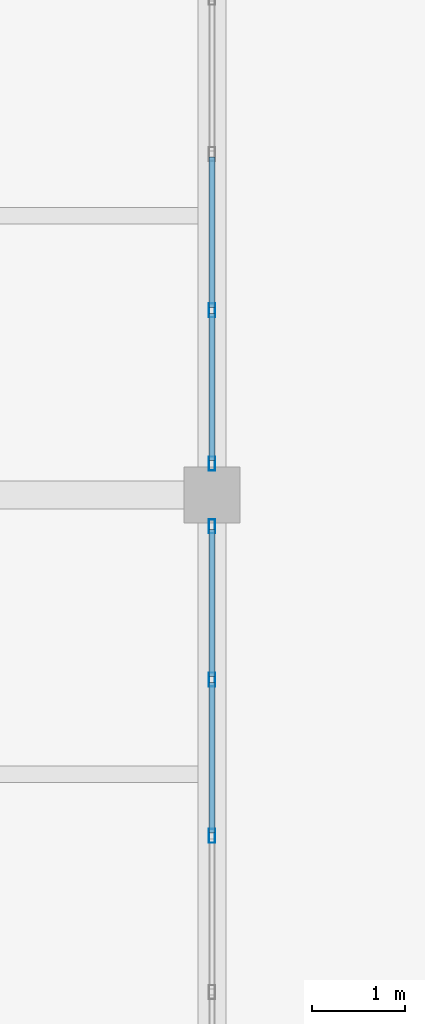
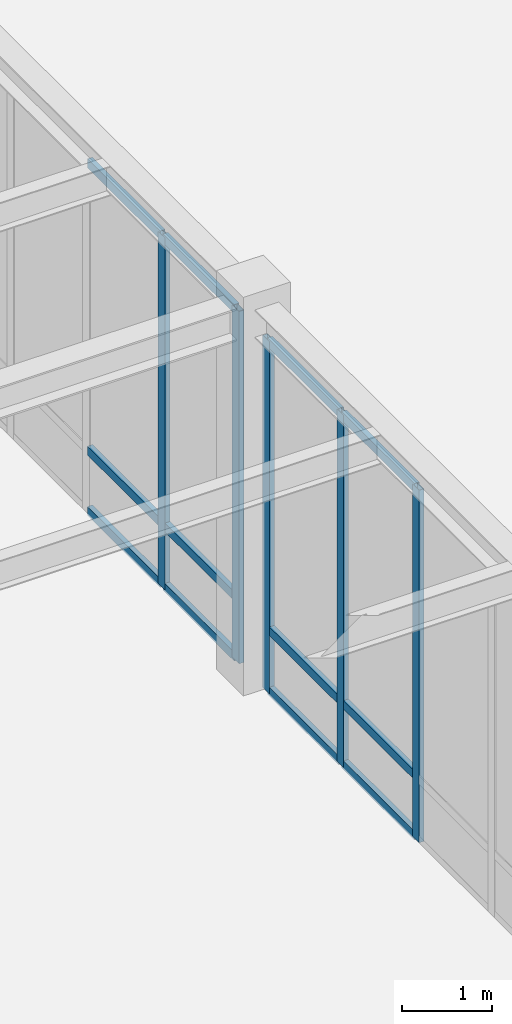
# One storey, part 41 of 77: 17 members, 2 elements without a shape of their own.
"""IFC4 building model written with IfcOpenShell, lengths in metres."""

from ifc_helpers import new_model, si_unit, direction, frame, origin, origin_2d, place, context, subcontext, project, spatial, hollow_rectangle, extrude, material, material_profile, profile_set, type_object, element, aggregate, save


model = new_model("IFC4")

# Units and contexts
model_context = context("Model", 3, precision=1e-05, world=origin(), true_north=direction((0.0, 1.0)))
body_context = subcontext(model_context, "Body", "Model", "MODEL_VIEW")
ifc_project = project(units=[si_unit("LENGTHUNIT", "METRE"), si_unit("AREAUNIT", "SQUARE_METRE"), si_unit("VOLUMEUNIT", "CUBIC_METRE"), si_unit("PLANEANGLEUNIT", "RADIAN"), si_unit("MASSUNIT", "GRAM", prefix="KILO")], contexts=[model_context])

# Site, building, storey
site_placement = place(None, origin())
site = spatial("IfcSite", under=ifc_project, at=site_placement, CompositionType="ELEMENT")
building_placement = place(site_placement, origin())
building = spatial("IfcBuilding", under=site, at=building_placement, Name="Lykobir Media Centre", CompositionType="ELEMENT")
storey_placement = place(building_placement, origin())
storey = spatial("IfcBuildingStorey", under=building, at=storey_placement, Name="L00", CompositionType="ELEMENT", Elevation=0.0)

# Curtain wall, members
ifc_material = material(Name="Anodized Aluminium AW-6060", Category="aluminium")
curtain_wall_type = type_object("IfcCurtainWallType", Name="CW-COURT-A", PredefinedType="NOTDEFINED", material=ifc_material)
curtain_wall_1_placement = place(storey_placement, origin())
curtain_wall_1 = element("IfcCurtainWall", 1, at=curtain_wall_1_placement, inside=storey, type_object=curtain_wall_type, Name="Curtain wall CW2-L00-0004", PredefinedType="NOTDEFINED")
ifc_material_profile_1 = material_profile(ifc_material, hollow_rectangle(XDim=0.06494140625, YDim=0.14990234375, WallThickness=0.00341796875, at=origin_2d()), Name="ALU MULLION 65x150")
ifc_profile_set_1 = profile_set([ifc_material_profile_1], Name="Anodized Aluminium AW-6060")
member_type_1 = type_object("IfcMemberType", Name="CWM-150", PredefinedType="MULLION", material=ifc_profile_set_1)
member_1_placement = place(storey_placement, frame((108.0, 35.66259765625, 0.0), z_axis=(0.0, 0.0, 1.0), x_axis=(1.0, 0.0, 0.0)))
member_1 = element("IfcMember", 2, at=member_1_placement, type_object=member_type_1, Name="CW2-L00-0004 mullion 1", PredefinedType="MULLION", context=body_context, shape_type="SweptSolid", body=[
    extrude(hollow_rectangle(XDim=0.06494140625, YDim=0.14990234375, WallThickness=0.00341796875, at=origin_2d()), origin(), (0.0, 0.0, 1.0), 4.77490234375),
])
member_2_placement = place(storey_placement, frame((108.0, 34.01708984375, 0.0), z_axis=(0.0, 0.0, 1.0), x_axis=(1.0, 0.0, 0.0)))
member_2 = element("IfcMember", 3, at=member_2_placement, type_object=member_type_1, Name="CW2-L00-0004 mullion 2", PredefinedType="MULLION", context=body_context, shape_type="SweptSolid", body=[
    extrude(hollow_rectangle(XDim=0.06494140625, YDim=0.14990234375, WallThickness=0.00341796875, at=origin_2d()), origin(), (0.0, 0.0, 1.0), 4.77490234375),
])
member_3_placement = place(storey_placement, frame((108.0, 32.339111328125, 0.0), z_axis=(0.0, 0.0, 1.0), x_axis=(1.0, 0.0, 0.0)))
member_3 = element("IfcMember", 4, at=member_3_placement, type_object=member_type_1, Name="CW2-L00-0004 mullion 3", PredefinedType="MULLION", context=body_context, shape_type="SweptSolid", body=[
    extrude(hollow_rectangle(XDim=0.06494140625, YDim=0.14990234375, WallThickness=0.00341796875, at=origin_2d()), origin(), (0.0, 0.0, 1.0), 4.77490234375),
])

curtain_wall_2_placement = place(storey_placement, origin())
curtain_wall_2 = element("IfcCurtainWall", 5, at=curtain_wall_2_placement, inside=storey, type_object=curtain_wall_type, Name="Curtain wall CW2-L00-0005", PredefinedType="NOTDEFINED")
member_4_placement = place(storey_placement, frame((108.0, 37.98291015625, 0.0), z_axis=(0.0, 0.0, 1.0), x_axis=(1.0, 0.0, 0.0)))
member_4 = element("IfcMember", 6, at=member_4_placement, type_object=member_type_1, Name="CW2-L00-0005 mullion 5", PredefinedType="MULLION", context=body_context, shape_type="SweptSolid", body=[
    extrude(hollow_rectangle(XDim=0.06494140625, YDim=0.14990234375, WallThickness=0.00341796875, at=origin_2d()), origin(), (0.0, 0.0, 1.0), 4.77490234375),
])
member_5_placement = place(storey_placement, frame((108.0, 36.33740234375, 0.0), z_axis=(0.0, 0.0, 1.0), x_axis=(1.0, 0.0, 0.0)))
member_5 = element("IfcMember", 7, at=member_5_placement, type_object=member_type_1, Name="CW2-L00-0005 mullion 6", PredefinedType="MULLION", context=body_context, shape_type="SweptSolid", body=[
    extrude(hollow_rectangle(XDim=0.06494140625, YDim=0.14990234375, WallThickness=0.00341796875, at=origin_2d()), origin(), (0.0, 0.0, 1.0), 4.77490234375),
])

# Member
ifc_material_profile_2 = material_profile(ifc_material, hollow_rectangle(XDim=0.06494140625, YDim=0.1201171875, WallThickness=0.0029296875, at=origin_2d()), Name="ALU TRANSOM 65x120")
ifc_profile_set_2 = profile_set([ifc_material_profile_2], Name="Anodized Aluminium AW-6060")
member_type_2 = type_object("IfcMemberType", Name="CWT-120", PredefinedType="USERDEFINED", material=ifc_profile_set_2)
member_6_placement = place(storey_placement, frame((108.0, 35.6298828125, 0.032470703125), z_axis=(0.0, -1.0, 0.0), x_axis=(1.0, 0.0, 0.0)))
member_6 = element("IfcMember", 8, at=member_6_placement, type_object=member_type_2, Name="CW2-L00-0004 transom 1.1", ObjectType="TRANSOM", PredefinedType="USERDEFINED", context=body_context, shape_type="SweptSolid", body=[
    extrude(hollow_rectangle(XDim=0.06494140625, YDim=0.1201171875, WallThickness=0.0029296875, at=origin_2d()), origin(), (0.0, 0.0, 1.0), 1.580322265625),
])

member_7_placement = place(storey_placement, frame((108.0, 35.6298828125, 0.85009765625), z_axis=(0.0, -1.0, 0.0), x_axis=(1.0, 0.0, 0.0)))
member_7 = element("IfcMember", 9, at=member_7_placement, type_object=member_type_2, Name="CW2-L00-0004 transom 1.2", ObjectType="TRANSOM", PredefinedType="USERDEFINED", context=body_context, shape_type="SweptSolid", body=[
    extrude(hollow_rectangle(XDim=0.06494140625, YDim=0.1201171875, WallThickness=0.0029296875, at=origin_2d()), origin(), (0.0, 0.0, 1.0), 1.580322265625),
])

member_8_placement = place(storey_placement, frame((108.0, 35.6298828125, 4.742431640625), z_axis=(0.0, -1.0, 0.0), x_axis=(1.0, 0.0, 0.0)))
member_8 = element("IfcMember", 10, at=member_8_placement, type_object=member_type_2, Name="CW2-L00-0004 transom 1.3", ObjectType="TRANSOM", PredefinedType="USERDEFINED", context=body_context, shape_type="SweptSolid", body=[
    extrude(hollow_rectangle(XDim=0.06494140625, YDim=0.1201171875, WallThickness=0.0029296875, at=origin_2d()), origin(), (0.0, 0.0, 1.0), 1.580322265625),
])

member_9_placement = place(storey_placement, frame((108.0, 33.984619140625, 0.032470703125), z_axis=(0.0, -1.0, 0.0), x_axis=(1.0, 0.0, 0.0)))
member_9 = element("IfcMember", 11, at=member_9_placement, type_object=member_type_2, Name="CW2-L00-0004 transom 2.1", ObjectType="TRANSOM", PredefinedType="USERDEFINED", context=body_context, shape_type="SweptSolid", body=[
    extrude(hollow_rectangle(XDim=0.06494140625, YDim=0.1201171875, WallThickness=0.0029296875, at=origin_2d()), origin(), (0.0, 0.0, 1.0), 1.613037109375),
])

member_10_placement = place(storey_placement, frame((108.0, 33.984619140625, 0.85009765625), z_axis=(0.0, -1.0, 0.0), x_axis=(1.0, 0.0, 0.0)))
member_10 = element("IfcMember", 12, at=member_10_placement, type_object=member_type_2, Name="CW2-L00-0004 transom 2.2", ObjectType="TRANSOM", PredefinedType="USERDEFINED", context=body_context, shape_type="SweptSolid", body=[
    extrude(hollow_rectangle(XDim=0.06494140625, YDim=0.1201171875, WallThickness=0.0029296875, at=origin_2d()), origin(), (0.0, 0.0, 1.0), 1.613037109375),
])

member_11_placement = place(storey_placement, frame((108.0, 33.984619140625, 4.742431640625), z_axis=(0.0, -1.0, 0.0), x_axis=(1.0, 0.0, 0.0)))
member_11 = element("IfcMember", 13, at=member_11_placement, type_object=member_type_2, Name="CW2-L00-0004 transom 2.3", ObjectType="TRANSOM", PredefinedType="USERDEFINED", context=body_context, shape_type="SweptSolid", body=[
    extrude(hollow_rectangle(XDim=0.06494140625, YDim=0.1201171875, WallThickness=0.0029296875, at=origin_2d()), origin(), (0.0, 0.0, 1.0), 1.613037109375),
])

aggregate(curtain_wall_1, [member_1, member_2, member_3, member_6, member_7, member_8, member_9, member_10, member_11])

member_12_placement = place(storey_placement, frame((108.0, 39.62841796875, 0.032470703125), z_axis=(0.0, -1.0, 0.0), x_axis=(1.0, 0.0, 0.0)))
member_12 = element("IfcMember", 14, at=member_12_placement, type_object=member_type_2, Name="CW2-L00-0005 transom 4.1", ObjectType="TRANSOM", PredefinedType="USERDEFINED", context=body_context, shape_type="SweptSolid", body=[
    extrude(hollow_rectangle(XDim=0.06494140625, YDim=0.1201171875, WallThickness=0.0029296875, at=origin_2d()), origin(), (0.0, 0.0, 1.0), 1.613037109375),
])

member_13_placement = place(storey_placement, frame((108.0, 39.62841796875, 0.85009765625), z_axis=(0.0, -1.0, 0.0), x_axis=(1.0, 0.0, 0.0)))
member_13 = element("IfcMember", 15, at=member_13_placement, type_object=member_type_2, Name="CW2-L00-0005 transom 4.2", ObjectType="TRANSOM", PredefinedType="USERDEFINED", context=body_context, shape_type="SweptSolid", body=[
    extrude(hollow_rectangle(XDim=0.06494140625, YDim=0.1201171875, WallThickness=0.0029296875, at=origin_2d()), origin(), (0.0, 0.0, 1.0), 1.613037109375),
])

member_14_placement = place(storey_placement, frame((108.0, 39.62841796875, 4.742431640625), z_axis=(0.0, -1.0, 0.0), x_axis=(1.0, 0.0, 0.0)))
member_14 = element("IfcMember", 16, at=member_14_placement, type_object=member_type_2, Name="CW2-L00-0005 transom 4.3", ObjectType="TRANSOM", PredefinedType="USERDEFINED", context=body_context, shape_type="SweptSolid", body=[
    extrude(hollow_rectangle(XDim=0.06494140625, YDim=0.1201171875, WallThickness=0.0029296875, at=origin_2d()), origin(), (0.0, 0.0, 1.0), 1.613037109375),
])

member_15_placement = place(storey_placement, frame((108.0, 37.950439453125, 0.032470703125), z_axis=(0.0, -1.0, 0.0), x_axis=(1.0, 0.0, 0.0)))
member_15 = element("IfcMember", 17, at=member_15_placement, type_object=member_type_2, Name="CW2-L00-0005 transom 5.1", ObjectType="TRANSOM", PredefinedType="USERDEFINED", context=body_context, shape_type="SweptSolid", body=[
    extrude(hollow_rectangle(XDim=0.06494140625, YDim=0.1201171875, WallThickness=0.0029296875, at=origin_2d()), origin(), (0.0, 0.0, 1.0), 1.580322265625),
])

member_16_placement = place(storey_placement, frame((108.0, 37.950439453125, 0.85009765625), z_axis=(0.0, -1.0, 0.0), x_axis=(1.0, 0.0, 0.0)))
member_16 = element("IfcMember", 18, at=member_16_placement, type_object=member_type_2, Name="CW2-L00-0005 transom 5.2", ObjectType="TRANSOM", PredefinedType="USERDEFINED", context=body_context, shape_type="SweptSolid", body=[
    extrude(hollow_rectangle(XDim=0.06494140625, YDim=0.1201171875, WallThickness=0.0029296875, at=origin_2d()), origin(), (0.0, 0.0, 1.0), 1.580322265625),
])

member_17_placement = place(storey_placement, frame((108.0, 37.950439453125, 4.742431640625), z_axis=(0.0, -1.0, 0.0), x_axis=(1.0, 0.0, 0.0)))
member_17 = element("IfcMember", 19, at=member_17_placement, type_object=member_type_2, Name="CW2-L00-0005 transom 5.3", ObjectType="TRANSOM", PredefinedType="USERDEFINED", context=body_context, shape_type="SweptSolid", body=[
    extrude(hollow_rectangle(XDim=0.06494140625, YDim=0.1201171875, WallThickness=0.0029296875, at=origin_2d()), origin(), (0.0, 0.0, 1.0), 1.580322265625),
])

aggregate(curtain_wall_2, [member_4, member_5, member_12, member_13, member_14, member_15, member_16, member_17])

save(model, "model.ifc")
